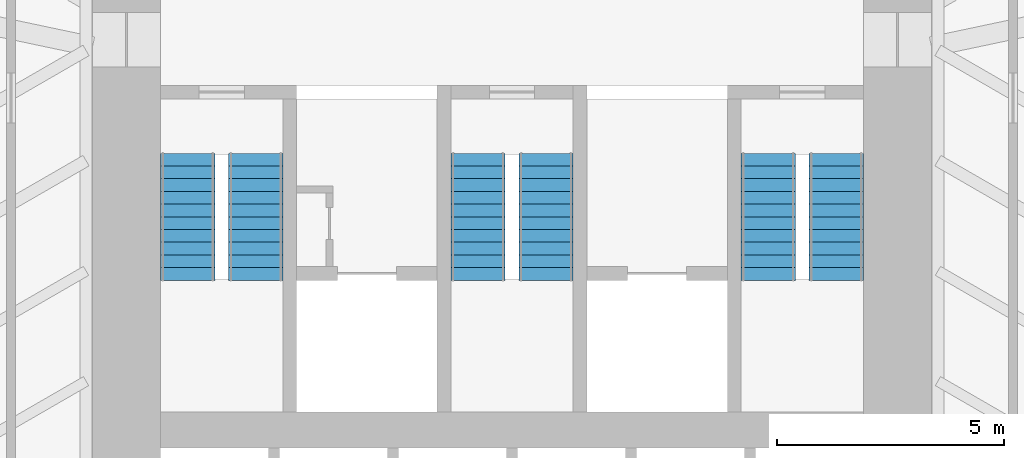
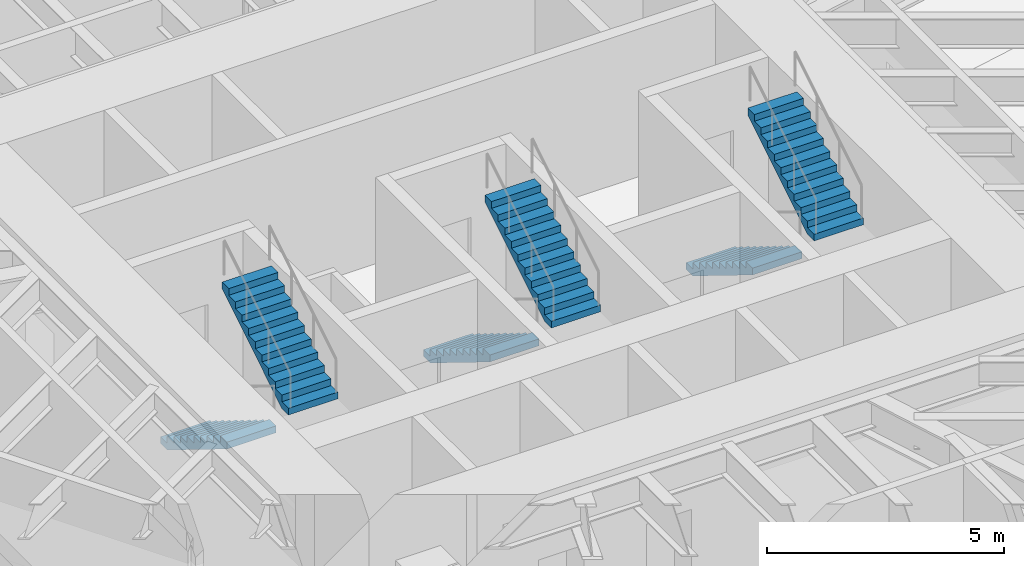
# One storey, part 16 of 17: 6 stair flights, 3 elements without a shape of their own.
"""IFC4 building model written with IfcOpenShell, lengths in metres."""

import ifcopenshell
import ifcopenshell.guid

model = None  # the IFC model being written
_history = None  # IfcOwnerHistory: only IFC2X3 demands one
_inside = {}  # id of a spatial element -> (the spatial element, [elements in it])
_under = {}  # id of a project, library or spatial element -> (it, [spatial elements below it])
_declared = {}  # id of a project -> (the project, [libraries it declares])
_typed = {}  # id of a type object -> (the type object, [elements of that type])
_made_of = {}  # id of a material, layer set ... -> (it, [elements and type objects made of it])


def new_model(schema):
    """Start an empty IFC model of exactly this schema.

    Asked for "IFC4X3", IfcOpenShell would pick the latest addendum, in which some entities
    have other attributes; the version numbers below select the first issue.
    IFC2X3 requires an IfcOwnerHistory on every rooted entity: one is made here for all.
    """
    global model, _history
    if schema == "IFC4X3":
        model = ifcopenshell.file(schema_version=(4, 3, 0, 0))
    else:
        model = ifcopenshell.file(schema=schema)
    _inside.clear()
    _under.clear()
    _declared.clear()
    _typed.clear()
    _made_of.clear()
    _history = None
    if model.schema == "IFC2X3":
        org = make("IfcOrganization", Name="unknown")
        user = make(
            "IfcPersonAndOrganization",
            ThePerson=make("IfcPerson", FamilyName="unknown"),
            TheOrganization=org,
        )
        app = make(
            "IfcApplication",
            ApplicationDeveloper=org,
            Version="unknown",
            ApplicationFullName="unknown",
            ApplicationIdentifier="unknown",
        )
        _history = make(
            "IfcOwnerHistory",
            OwningUser=user,
            OwningApplication=app,
            ChangeAction="ADDED",
            CreationDate=0,
        )
    return model


def make(cls, **values):
    """One entity of the class cls with the attributes given. An attribute that is None is left unset."""
    return model.create_entity(
        cls, **{name: value for name, value in values.items() if value is not None}
    )


def rooted(cls, **values):
    """An entity with a GlobalId (a new one), such as an element, a storey or a relation."""
    return make(cls, GlobalId=ifcopenshell.guid.new(), OwnerHistory=_history, **values)


def si_unit(unit_type, name, prefix=None):
    """IfcSIUnit, for example si_unit("LENGTHUNIT", "METRE", prefix="MILLI")."""
    return make("IfcSIUnit", UnitType=unit_type, Prefix=prefix, Name=name)


def assignment(units):
    """IfcUnitAssignment: the units of a project."""
    return None if units is None else make("IfcUnitAssignment", Units=units)


def point(xyz):
    """IfcCartesianPoint."""
    return None if xyz is None else make("IfcCartesianPoint", Coordinates=xyz)


def direction(xyz):
    """IfcDirection."""
    return None if xyz is None else make("IfcDirection", DirectionRatios=xyz)


def frame(location, z_axis=None, x_axis=None):
    """IfcAxis2Placement3D, a coordinate frame: its origin and axes. An axis left out is left unset."""
    return make(
        "IfcAxis2Placement3D",
        Location=point(location),
        Axis=direction(z_axis),
        RefDirection=direction(x_axis),
    )


def origin():
    """The frame at (0, 0, 0) with its axes left unset."""
    return frame((0.0, 0.0, 0.0))


def place(relative_to, where):
    """IfcLocalPlacement: puts the frame where relative to a parent placement (None: the world)."""
    return make(
        "IfcLocalPlacement", PlacementRelTo=relative_to, RelativePlacement=where
    )


def context(
    kind, dimensions, precision=None, world=None, true_north=None, identifier=None
):
    """IfcGeometricRepresentationContext, for example the 3D "Model" context."""
    return make(
        "IfcGeometricRepresentationContext",
        ContextIdentifier=identifier,
        ContextType=kind,
        CoordinateSpaceDimension=dimensions,
        Precision=precision,
        WorldCoordinateSystem=world,
        TrueNorth=true_north,
    )


def subcontext(parent, identifier, kind, view, scale=None):
    """IfcGeometricRepresentationSubContext, for example "Body" below "Model"."""
    return make(
        "IfcGeometricRepresentationSubContext",
        ContextIdentifier=identifier,
        ContextType=kind,
        ParentContext=parent,
        TargetScale=scale,
        TargetView=view,
    )


def project(units=None, contexts=None):
    """IfcProject with its units and contexts."""
    return rooted(
        "IfcProject",
        Name="project",
        RepresentationContexts=contexts,
        UnitsInContext=assignment(units),
    )


def spatial(cls, under=None, at=None, **own):
    """A site, building, storey or space (cls), placed at a placement, below another one or the project."""
    s = rooted(cls, ObjectPlacement=at, **own)
    if under is not None:
        _under.setdefault(under.id(), (under, []))[1].append(s)
    return s


def polyline(points):
    """IfcPolyline through the points."""
    return make("IfcPolyline", Points=[point(p) for p in points])


def outline(outer, holes=None, kind="AREA"):
    """IfcArbitraryClosedProfileDef: a profile drawn as a closed curve; with holes, ...WithVoids."""
    if holes is None:
        return make("IfcArbitraryClosedProfileDef", ProfileType=kind, OuterCurve=outer)
    return make(
        "IfcArbitraryProfileDefWithVoids",
        ProfileType=kind,
        OuterCurve=outer,
        InnerCurves=holes,
    )


def extrude(swept, where, along, depth):
    """IfcExtrudedAreaSolid: the profile swept, set in the frame where, extruded along a direction by depth."""
    return make(
        "IfcExtrudedAreaSolid",
        SweptArea=swept,
        Position=where,
        ExtrudedDirection=direction(along),
        Depth=depth,
    )


def shape(context_of_items, identifier, shape_type, items):
    """IfcShapeRepresentation: the items that make up one representation, for example the "Body"."""
    return make(
        "IfcShapeRepresentation",
        ContextOfItems=context_of_items,
        RepresentationIdentifier=identifier,
        RepresentationType=shape_type,
        Items=items,
    )


def material(Name=None, Category=None):
    """IfcMaterial."""
    return make("IfcMaterial", Name=Name, Category=Category)


def made_of(thing, what):
    """Note that an element or type object is made of a material, layer set ...; save() writes the relation."""
    if what is not None:
        _made_of.setdefault(what.id(), (what, []))[1].append(thing)
    return thing


def type_object(cls, material=None, **own):
    """A type object (cls), such as IfcWallType, which elements share."""
    return made_of(rooted(cls, **own), material)


def element(
    cls,
    number,
    at=None,
    inside=None,
    cuts=None,
    type_object=None,
    material=None,
    context=None,
    identifier="Body",
    shape_type=None,
    held_by="IfcProductDefinitionShape",
    body=None,
    shapes=None,
    **own,
):
    """One element of the class cls, such as IfcWall. Its Tag is "e" and its number.

    at: its placement. inside: the storey or other place that contains it. cuts: it is an
    opening in that element (IfcRelVoidsElement). A single representation is given by context,
    identifier, shape_type and body (its items); several are given by shapes. held_by: the class
    of the entity that holds the representations. save() writes the other relations.
    """
    e = rooted(cls, Tag="e%d" % number, ObjectPlacement=at, **own)
    if body is not None:
        shapes = [shape(context, identifier, shape_type, body)]
    if shapes is not None:
        e.Representation = make(held_by, Representations=shapes)
    if inside is not None:
        _inside.setdefault(inside.id(), (inside, []))[1].append(e)
    if cuts is not None:
        rooted(
            "IfcRelVoidsElement", RelatingBuildingElement=cuts, RelatedOpeningElement=e
        )
    if type_object is not None:
        _typed.setdefault(type_object.id(), (type_object, []))[1].append(e)
    return made_of(e, material)


def aggregate(whole, parts):
    """IfcRelAggregates: a whole, such as a stair, and the parts it consists of."""
    return rooted("IfcRelAggregates", RelatingObject=whole, RelatedObjects=parts)


def save(model, path):
    """Write the relations noted so far, then the file.

    IfcRelAggregates (storeys below a building ...), IfcRelContainedInSpatialStructure (elements
    in a storey), IfcRelDefinesByType, IfcRelAssociatesMaterial and IfcRelDeclares: one each for
    every whole, place, type object, material and project.
    """
    for whole, parts in _under.values():
        aggregate(whole, parts)
    for where, things in _inside.values():
        rooted(
            "IfcRelContainedInSpatialStructure",
            RelatedElements=things,
            RelatingStructure=where,
        )
    for kind, things in _typed.values():
        rooted("IfcRelDefinesByType", RelatedObjects=things, RelatingType=kind)
    for what, things in _made_of.values():
        rooted("IfcRelAssociatesMaterial", RelatedObjects=things, RelatingMaterial=what)
    for by, libraries in _declared.values():
        rooted("IfcRelDeclares", RelatingContext=by, RelatedDefinitions=libraries)
    model.write(path)


model = new_model("IFC4")

# Units and contexts
model_context = context("Model", 3, precision=1e-05, world=origin(), true_north=direction((0.0, 1.0)))
body_context = subcontext(model_context, "Body", "Model", "MODEL_VIEW")
ifc_project = project(units=[si_unit("LENGTHUNIT", "METRE"), si_unit("AREAUNIT", "SQUARE_METRE"), si_unit("VOLUMEUNIT", "CUBIC_METRE"), si_unit("PLANEANGLEUNIT", "RADIAN"), si_unit("MASSUNIT", "GRAM", prefix="KILO")], contexts=[model_context])

# Site, building, storey
site_placement = place(None, origin())
site = spatial("IfcSite", under=ifc_project, at=site_placement, CompositionType="ELEMENT")
building_placement = place(site_placement, origin())
building = spatial("IfcBuilding", under=site, at=building_placement, Name="Sandreach Pilgrim Tower", CompositionType="ELEMENT")
storey_placement = place(building_placement, frame((0.0, 0.0, 38.199951171875)))
storey = spatial("IfcBuildingStorey", under=building, at=storey_placement, Name="L08", CompositionType="ELEMENT", Elevation=38.199951171875)

# Stair, stair flights
ifc_material_1 = material(Name="Concrete 8000 psi", Category="concrete")
stair_type = type_object("IfcStairType", Name="Core exit stair", PredefinedType="HALF_TURN_STAIR", material=ifc_material_1)
stair_1_placement = place(storey_placement, origin())
stair_1 = element("IfcStair", 1, at=stair_1_placement, inside=storey, type_object=stair_type, Name="Exit stair ST1 L08", PredefinedType="HALF_TURN_STAIR")
ifc_material_2 = material(Name="Concrete 8000 psi", Category="concrete")
stair_flight_type = type_object("IfcStairFlightType", Name="Core stair flight 1200", PredefinedType="STRAIGHT", material=ifc_material_2)
stair_flight_1_placement = place(storey_placement, frame((-7.14990234375, -0.39990234375, 0.0), z_axis=(0.0, 0.0, 1.0), x_axis=(0.0, -1.0, 0.0)))
stair_flight_1 = element("IfcStairFlight", 2, at=stair_flight_1_placement, type_object=stair_flight_type, Name="ST1 flight 1", NumberOfRisers=11, NumberOfTreads=10, PredefinedType="STRAIGHT", RiserHeight=0.172727273, TreadLength=0.28, context=body_context, shape_type="SweptSolid", body=[
    extrude(outline(polyline([(0.0, 0.0), (0.0, 0.172607421875), (0.280029296875, 0.172607421875), (0.280029296875, 0.345458984375), (0.56005859375, 0.345458984375), (0.56005859375, 0.51806640625), (0.840087890625, 0.51806640625), (0.840087890625, 0.69091796875), (1.1201171875, 0.69091796875), (1.1201171875, 0.863525390625), (1.39990234375, 0.863525390625), (1.39990234375, 1.036376953125), (1.679931640625, 1.036376953125), (1.679931640625, 1.208984375), (1.9599609375, 1.208984375), (1.9599609375, 1.3818359375), (2.239990234375, 1.3818359375), (2.239990234375, 1.554443359375), (2.52001953125, 1.554443359375), (2.52001953125, 1.727294921875), (2.800048828125, 1.727294921875), (2.800048828125, 1.89990234375), (2.800048828125, 1.551025390625), (0.285400390625, 0.0), (0.0, 0.0)])), frame((0.0, 0.60009765625, 0.0), z_axis=(0.0, -1.0, 0.0), x_axis=(1.0, 0.0, 0.0)), (0.0, 0.0, 1.0), 1.199951171875),
])
stair_flight_2_placement = place(storey_placement, frame((-5.64990234375, -3.199951171875, 1.900146484375), z_axis=(0.0, 0.0, 1.0), x_axis=(0.0, 1.0, 0.0)))
stair_flight_2 = element("IfcStairFlight", 3, at=stair_flight_2_placement, type_object=stair_flight_type, Name="ST1 flight 2", NumberOfRisers=11, NumberOfTreads=10, PredefinedType="STRAIGHT", RiserHeight=0.172727273, TreadLength=0.28, context=body_context, shape_type="SweptSolid", body=[
    extrude(outline(polyline([(0.0, 0.0), (0.0, 0.172607421875), (0.280029296875, 0.172607421875), (0.280029296875, 0.345458984375), (0.56005859375, 0.345458984375), (0.56005859375, 0.51806640625), (0.840087890625, 0.51806640625), (0.840087890625, 0.69091796875), (1.1201171875, 0.69091796875), (1.1201171875, 0.863525390625), (1.39990234375, 0.863525390625), (1.39990234375, 1.036376953125), (1.679931640625, 1.036376953125), (1.679931640625, 1.208984375), (1.9599609375, 1.208984375), (1.9599609375, 1.3818359375), (2.239990234375, 1.3818359375), (2.239990234375, 1.554443359375), (2.52001953125, 1.554443359375), (2.52001953125, 1.727294921875), (2.800048828125, 1.727294921875), (2.800048828125, 1.89990234375), (2.800048828125, 1.551025390625), (0.285400390625, 0.0), (0.0, 0.0)])), frame((0.0, 0.60009765625, 0.0), z_axis=(0.0, -1.0, 0.0), x_axis=(1.0, 0.0, 0.0)), (0.0, 0.0, 1.0), 1.199951171875),
])
aggregate(stair_1, [stair_flight_1, stair_flight_2])

stair_2_placement = place(storey_placement, origin())
stair_2 = element("IfcStair", 4, at=stair_2_placement, inside=storey, type_object=stair_type, Name="Exit stair ST3 L08", PredefinedType="HALF_TURN_STAIR")
stair_flight_3_placement = place(storey_placement, frame((-0.75, -0.39990234375, 0.0), z_axis=(0.0, 0.0, 1.0), x_axis=(0.0, -1.0, 0.0)))
stair_flight_3 = element("IfcStairFlight", 5, at=stair_flight_3_placement, type_object=stair_flight_type, Name="ST3 flight 1", NumberOfRisers=11, NumberOfTreads=10, PredefinedType="STRAIGHT", RiserHeight=0.172727273, TreadLength=0.28, context=body_context, shape_type="SweptSolid", body=[
    extrude(outline(polyline([(0.0, 0.0), (0.0, 0.172607421875), (0.280029296875, 0.172607421875), (0.280029296875, 0.345458984375), (0.56005859375, 0.345458984375), (0.56005859375, 0.51806640625), (0.840087890625, 0.51806640625), (0.840087890625, 0.69091796875), (1.1201171875, 0.69091796875), (1.1201171875, 0.863525390625), (1.39990234375, 0.863525390625), (1.39990234375, 1.036376953125), (1.679931640625, 1.036376953125), (1.679931640625, 1.208984375), (1.9599609375, 1.208984375), (1.9599609375, 1.3818359375), (2.239990234375, 1.3818359375), (2.239990234375, 1.554443359375), (2.52001953125, 1.554443359375), (2.52001953125, 1.727294921875), (2.800048828125, 1.727294921875), (2.800048828125, 1.89990234375), (2.800048828125, 1.551025390625), (0.285400390625, 0.0), (0.0, 0.0)])), frame((0.0, 0.60009765625, 0.0), z_axis=(0.0, -1.0, 0.0), x_axis=(1.0, 0.0, 0.0)), (0.0, 0.0, 1.0), 1.199951171875),
])
stair_flight_4_placement = place(storey_placement, frame((0.75, -3.199951171875, 1.900146484375), z_axis=(0.0, 0.0, 1.0), x_axis=(0.0, 1.0, 0.0)))
stair_flight_4 = element("IfcStairFlight", 6, at=stair_flight_4_placement, type_object=stair_flight_type, Name="ST3 flight 2", NumberOfRisers=11, NumberOfTreads=10, PredefinedType="STRAIGHT", RiserHeight=0.172727273, TreadLength=0.28, context=body_context, shape_type="SweptSolid", body=[
    extrude(outline(polyline([(0.0, 0.0), (0.0, 0.172607421875), (0.280029296875, 0.172607421875), (0.280029296875, 0.345458984375), (0.56005859375, 0.345458984375), (0.56005859375, 0.51806640625), (0.840087890625, 0.51806640625), (0.840087890625, 0.69091796875), (1.1201171875, 0.69091796875), (1.1201171875, 0.863525390625), (1.39990234375, 0.863525390625), (1.39990234375, 1.036376953125), (1.679931640625, 1.036376953125), (1.679931640625, 1.208984375), (1.9599609375, 1.208984375), (1.9599609375, 1.3818359375), (2.239990234375, 1.3818359375), (2.239990234375, 1.554443359375), (2.52001953125, 1.554443359375), (2.52001953125, 1.727294921875), (2.800048828125, 1.727294921875), (2.800048828125, 1.89990234375), (2.800048828125, 1.551025390625), (0.285400390625, 0.0), (0.0, 0.0)])), frame((0.0, 0.60009765625, 0.0), z_axis=(0.0, -1.0, 0.0), x_axis=(1.0, 0.0, 0.0)), (0.0, 0.0, 1.0), 1.199951171875),
])
aggregate(stair_2, [stair_flight_3, stair_flight_4])

stair_3_placement = place(storey_placement, origin())
stair_3 = element("IfcStair", 7, at=stair_3_placement, inside=storey, type_object=stair_type, Name="Exit stair ST2 L08", PredefinedType="HALF_TURN_STAIR")
stair_flight_5_placement = place(storey_placement, frame((5.64990234375, -0.39990234375, 0.0), z_axis=(0.0, 0.0, 1.0), x_axis=(0.0, -1.0, 0.0)))
stair_flight_5 = element("IfcStairFlight", 8, at=stair_flight_5_placement, type_object=stair_flight_type, Name="ST2 flight 1", NumberOfRisers=11, NumberOfTreads=10, PredefinedType="STRAIGHT", RiserHeight=0.172727273, TreadLength=0.28, context=body_context, shape_type="SweptSolid", body=[
    extrude(outline(polyline([(0.0, 0.0), (0.0, 0.172607421875), (0.280029296875, 0.172607421875), (0.280029296875, 0.345458984375), (0.56005859375, 0.345458984375), (0.56005859375, 0.51806640625), (0.840087890625, 0.51806640625), (0.840087890625, 0.69091796875), (1.1201171875, 0.69091796875), (1.1201171875, 0.863525390625), (1.39990234375, 0.863525390625), (1.39990234375, 1.036376953125), (1.679931640625, 1.036376953125), (1.679931640625, 1.208984375), (1.9599609375, 1.208984375), (1.9599609375, 1.3818359375), (2.239990234375, 1.3818359375), (2.239990234375, 1.554443359375), (2.52001953125, 1.554443359375), (2.52001953125, 1.727294921875), (2.800048828125, 1.727294921875), (2.800048828125, 1.89990234375), (2.800048828125, 1.551025390625), (0.285400390625, 0.0), (0.0, 0.0)])), frame((0.0, 0.60009765625, 0.0), z_axis=(0.0, -1.0, 0.0), x_axis=(1.0, 0.0, 0.0)), (0.0, 0.0, 1.0), 1.199951171875),
])
stair_flight_6_placement = place(storey_placement, frame((7.14990234375, -3.199951171875, 1.900146484375), z_axis=(0.0, 0.0, 1.0), x_axis=(0.0, 1.0, 0.0)))
stair_flight_6 = element("IfcStairFlight", 9, at=stair_flight_6_placement, type_object=stair_flight_type, Name="ST2 flight 2", NumberOfRisers=11, NumberOfTreads=10, PredefinedType="STRAIGHT", RiserHeight=0.172727273, TreadLength=0.28, context=body_context, shape_type="SweptSolid", body=[
    extrude(outline(polyline([(0.0, 0.0), (0.0, 0.172607421875), (0.280029296875, 0.172607421875), (0.280029296875, 0.345458984375), (0.56005859375, 0.345458984375), (0.56005859375, 0.51806640625), (0.840087890625, 0.51806640625), (0.840087890625, 0.69091796875), (1.1201171875, 0.69091796875), (1.1201171875, 0.863525390625), (1.39990234375, 0.863525390625), (1.39990234375, 1.036376953125), (1.679931640625, 1.036376953125), (1.679931640625, 1.208984375), (1.9599609375, 1.208984375), (1.9599609375, 1.3818359375), (2.239990234375, 1.3818359375), (2.239990234375, 1.554443359375), (2.52001953125, 1.554443359375), (2.52001953125, 1.727294921875), (2.800048828125, 1.727294921875), (2.800048828125, 1.89990234375), (2.800048828125, 1.551025390625), (0.285400390625, 0.0), (0.0, 0.0)])), frame((0.0, 0.60009765625, 0.0), z_axis=(0.0, -1.0, 0.0), x_axis=(1.0, 0.0, 0.0)), (0.0, 0.0, 1.0), 1.199951171875),
])
aggregate(stair_3, [stair_flight_5, stair_flight_6])

save(model, "model.ifc")
